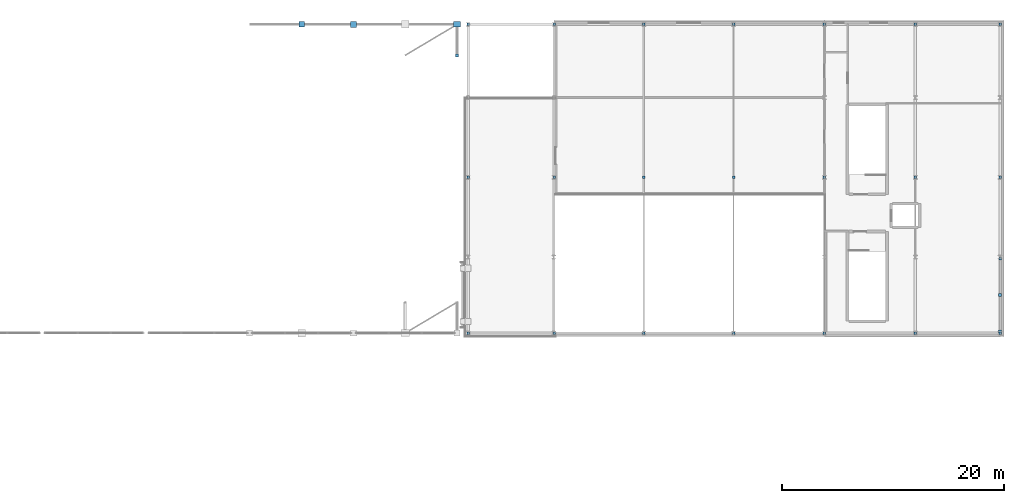
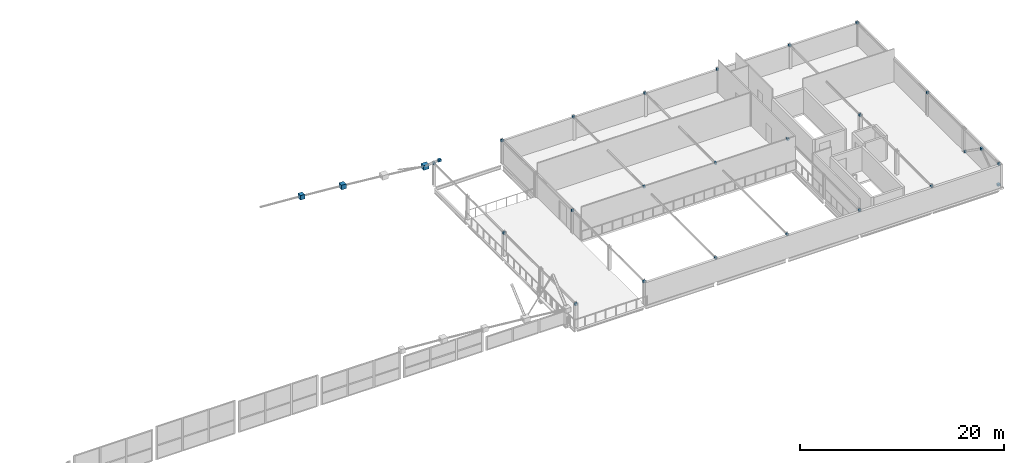
# One storey, part 47 of 60: 28 plates.
"""IFC4 building model written with IfcOpenShell, lengths in metres."""

import ifcopenshell
import ifcopenshell.guid

model = None  # the IFC model being written
_history = None  # IfcOwnerHistory: only IFC2X3 demands one
_inside = {}  # id of a spatial element -> (the spatial element, [elements in it])
_under = {}  # id of a project, library or spatial element -> (it, [spatial elements below it])
_declared = {}  # id of a project -> (the project, [libraries it declares])
_typed = {}  # id of a type object -> (the type object, [elements of that type])
_made_of = {}  # id of a material, layer set ... -> (it, [elements and type objects made of it])


def new_model(schema):
    """Start an empty IFC model of exactly this schema.

    Asked for "IFC4X3", IfcOpenShell would pick the latest addendum, in which some entities
    have other attributes; the version numbers below select the first issue.
    IFC2X3 requires an IfcOwnerHistory on every rooted entity: one is made here for all.
    """
    global model, _history
    if schema == "IFC4X3":
        model = ifcopenshell.file(schema_version=(4, 3, 0, 0))
    else:
        model = ifcopenshell.file(schema=schema)
    _inside.clear()
    _under.clear()
    _declared.clear()
    _typed.clear()
    _made_of.clear()
    _history = None
    if model.schema == "IFC2X3":
        org = make("IfcOrganization", Name="unknown")
        user = make(
            "IfcPersonAndOrganization",
            ThePerson=make("IfcPerson", FamilyName="unknown"),
            TheOrganization=org,
        )
        app = make(
            "IfcApplication",
            ApplicationDeveloper=org,
            Version="unknown",
            ApplicationFullName="unknown",
            ApplicationIdentifier="unknown",
        )
        _history = make(
            "IfcOwnerHistory",
            OwningUser=user,
            OwningApplication=app,
            ChangeAction="ADDED",
            CreationDate=0,
        )
    return model


def make(cls, **values):
    """One entity of the class cls with the attributes given. An attribute that is None is left unset."""
    return model.create_entity(
        cls, **{name: value for name, value in values.items() if value is not None}
    )


def rooted(cls, **values):
    """An entity with a GlobalId (a new one), such as an element, a storey or a relation."""
    return make(cls, GlobalId=ifcopenshell.guid.new(), OwnerHistory=_history, **values)


def si_unit(unit_type, name, prefix=None):
    """IfcSIUnit, for example si_unit("LENGTHUNIT", "METRE", prefix="MILLI")."""
    return make("IfcSIUnit", UnitType=unit_type, Prefix=prefix, Name=name)


def assignment(units):
    """IfcUnitAssignment: the units of a project."""
    return None if units is None else make("IfcUnitAssignment", Units=units)


def point(xyz):
    """IfcCartesianPoint."""
    return None if xyz is None else make("IfcCartesianPoint", Coordinates=xyz)


def direction(xyz):
    """IfcDirection."""
    return None if xyz is None else make("IfcDirection", DirectionRatios=xyz)


def frame(location, z_axis=None, x_axis=None):
    """IfcAxis2Placement3D, a coordinate frame: its origin and axes. An axis left out is left unset."""
    return make(
        "IfcAxis2Placement3D",
        Location=point(location),
        Axis=direction(z_axis),
        RefDirection=direction(x_axis),
    )


def frame_2d(location, x_axis=None):
    """IfcAxis2Placement2D, a coordinate frame in the plane: its origin and x axis."""
    return make(
        "IfcAxis2Placement2D", Location=point(location), RefDirection=direction(x_axis)
    )


def origin():
    """The frame at (0, 0, 0) with its axes left unset."""
    return frame((0.0, 0.0, 0.0))


def origin_2d():
    """The frame at (0, 0) in the plane with its x axis left unset."""
    return frame_2d((0.0, 0.0))


def place(relative_to, where):
    """IfcLocalPlacement: puts the frame where relative to a parent placement (None: the world)."""
    return make(
        "IfcLocalPlacement", PlacementRelTo=relative_to, RelativePlacement=where
    )


def context(
    kind, dimensions, precision=None, world=None, true_north=None, identifier=None
):
    """IfcGeometricRepresentationContext, for example the 3D "Model" context."""
    return make(
        "IfcGeometricRepresentationContext",
        ContextIdentifier=identifier,
        ContextType=kind,
        CoordinateSpaceDimension=dimensions,
        Precision=precision,
        WorldCoordinateSystem=world,
        TrueNorth=true_north,
    )


def subcontext(parent, identifier, kind, view, scale=None):
    """IfcGeometricRepresentationSubContext, for example "Body" below "Model"."""
    return make(
        "IfcGeometricRepresentationSubContext",
        ContextIdentifier=identifier,
        ContextType=kind,
        ParentContext=parent,
        TargetScale=scale,
        TargetView=view,
    )


def project(units=None, contexts=None):
    """IfcProject with its units and contexts."""
    return rooted(
        "IfcProject",
        Name="project",
        RepresentationContexts=contexts,
        UnitsInContext=assignment(units),
    )


def spatial(cls, under=None, at=None, **own):
    """A site, building, storey or space (cls), placed at a placement, below another one or the project."""
    s = rooted(cls, ObjectPlacement=at, **own)
    if under is not None:
        _under.setdefault(under.id(), (under, []))[1].append(s)
    return s


def profile(cls, at=None, kind="AREA", **sizes):
    """A parametric profile (cls). Its sizes go by their IFC names, for example OverallWidth=200.0."""
    return make(cls, ProfileType=kind, Position=at, **sizes)


def rectangle(**sizes):
    """IfcRectangleProfileDef."""
    return profile("IfcRectangleProfileDef", **sizes)


def extrude(swept, where, along, depth):
    """IfcExtrudedAreaSolid: the profile swept, set in the frame where, extruded along a direction by depth."""
    return make(
        "IfcExtrudedAreaSolid",
        SweptArea=swept,
        Position=where,
        ExtrudedDirection=direction(along),
        Depth=depth,
    )


def shape(context_of_items, identifier, shape_type, items):
    """IfcShapeRepresentation: the items that make up one representation, for example the "Body"."""
    return make(
        "IfcShapeRepresentation",
        ContextOfItems=context_of_items,
        RepresentationIdentifier=identifier,
        RepresentationType=shape_type,
        Items=items,
    )


def material(Name=None, Category=None):
    """IfcMaterial."""
    return make("IfcMaterial", Name=Name, Category=Category)


def layer(
    of_material, thickness, ventilated=None, Name=None, Category=None, Priority=None
):
    """IfcMaterialLayer: one layer of a wall or slab, of a material (None: an air gap)."""
    return make(
        "IfcMaterialLayer",
        Material=of_material,
        LayerThickness=thickness,
        IsVentilated=ventilated,
        Name=Name,
        Category=Category,
        Priority=Priority,
    )


def layer_set(layers, Name=None):
    """IfcMaterialLayerSet."""
    return make("IfcMaterialLayerSet", MaterialLayers=layers, LayerSetName=Name)


def made_of(thing, what):
    """Note that an element or type object is made of a material, layer set ...; save() writes the relation."""
    if what is not None:
        _made_of.setdefault(what.id(), (what, []))[1].append(thing)
    return thing


def type_object(cls, material=None, **own):
    """A type object (cls), such as IfcWallType, which elements share."""
    return made_of(rooted(cls, **own), material)


def element(
    cls,
    number,
    at=None,
    inside=None,
    cuts=None,
    type_object=None,
    material=None,
    context=None,
    identifier="Body",
    shape_type=None,
    held_by="IfcProductDefinitionShape",
    body=None,
    shapes=None,
    **own,
):
    """One element of the class cls, such as IfcWall. Its Tag is "e" and its number.

    at: its placement. inside: the storey or other place that contains it. cuts: it is an
    opening in that element (IfcRelVoidsElement). A single representation is given by context,
    identifier, shape_type and body (its items); several are given by shapes. held_by: the class
    of the entity that holds the representations. save() writes the other relations.
    """
    e = rooted(cls, Tag="e%d" % number, ObjectPlacement=at, **own)
    if body is not None:
        shapes = [shape(context, identifier, shape_type, body)]
    if shapes is not None:
        e.Representation = make(held_by, Representations=shapes)
    if inside is not None:
        _inside.setdefault(inside.id(), (inside, []))[1].append(e)
    if cuts is not None:
        rooted(
            "IfcRelVoidsElement", RelatingBuildingElement=cuts, RelatedOpeningElement=e
        )
    if type_object is not None:
        _typed.setdefault(type_object.id(), (type_object, []))[1].append(e)
    return made_of(e, material)


def aggregate(whole, parts):
    """IfcRelAggregates: a whole, such as a stair, and the parts it consists of."""
    return rooted("IfcRelAggregates", RelatingObject=whole, RelatedObjects=parts)


def save(model, path):
    """Write the relations noted so far, then the file.

    IfcRelAggregates (storeys below a building ...), IfcRelContainedInSpatialStructure (elements
    in a storey), IfcRelDefinesByType, IfcRelAssociatesMaterial and IfcRelDeclares: one each for
    every whole, place, type object, material and project.
    """
    for whole, parts in _under.values():
        aggregate(whole, parts)
    for where, things in _inside.values():
        rooted(
            "IfcRelContainedInSpatialStructure",
            RelatedElements=things,
            RelatingStructure=where,
        )
    for kind, things in _typed.values():
        rooted("IfcRelDefinesByType", RelatedObjects=things, RelatingType=kind)
    for what, things in _made_of.values():
        rooted("IfcRelAssociatesMaterial", RelatedObjects=things, RelatingMaterial=what)
    for by, libraries in _declared.values():
        rooted("IfcRelDeclares", RelatingContext=by, RelatedDefinitions=libraries)
    model.write(path)


model = new_model("IFC4")

# Units and contexts
model_context = context("Model", 3, precision=1e-05, world=origin(), true_north=direction((0.0, 1.0)))
body_context = subcontext(model_context, "Body", "Model", "MODEL_VIEW")
ifc_project = project(units=[si_unit("LENGTHUNIT", "METRE"), si_unit("AREAUNIT", "SQUARE_METRE"), si_unit("VOLUMEUNIT", "CUBIC_METRE"), si_unit("PLANEANGLEUNIT", "RADIAN"), si_unit("MASSUNIT", "GRAM", prefix="KILO")], contexts=[model_context])

# Site, building, storey
site_placement = place(None, origin())
site = spatial("IfcSite", under=ifc_project, at=site_placement, CompositionType="ELEMENT")
building_placement = place(site_placement, origin())
building = spatial("IfcBuilding", under=site, at=building_placement, Name="Quillay Park Conservatory", CompositionType="ELEMENT")
storey_placement = place(building_placement, frame((0.0, 0.0, 9.89990234375)))
storey = spatial("IfcBuildingStorey", under=building, at=storey_placement, Name="L02", CompositionType="ELEMENT", Elevation=9.89990234375)

# Plates
ifc_material_1 = material(Name="Steel S355J2H", Category="steel")
ifc_layer_1 = layer(ifc_material_1, 0.035888671875)
ifc_layer_set_1 = layer_set([ifc_layer_1], Name="BOLTED GUSSET NODE PLATE GN02 (Steel S355J2H)")
plate_type_1 = type_object("IfcPlateType", Name="BOLTED GUSSET NODE PLATE GN02", PredefinedType="USERDEFINED", material=ifc_layer_set_1)
plate_1_placement = place(storey_placement, frame((100.816650390625, 113.39990234375, 3.746826171875), z_axis=(0.0, 0.0, 1.0), x_axis=(1.0, 0.0, 0.0)))
element("IfcPlate", 1, at=plate_1_placement, inside=storey, type_object=plate_type_1, Name="Conservatory gridshell star node GN02 (15,10)", ObjectType="GUSSET PLATE", PredefinedType="USERDEFINED", context=body_context, shape_type="SweptSolid", body=[
    extrude(rectangle(XDim=0.5, YDim=0.5, at=origin_2d()), origin(), (0.0, 0.0, 1.0), 0.5400390625),
])
ifc_material_2 = material(Name="Steel S355J2H", Category="steel")
ifc_layer_2 = layer(ifc_material_2, 0.0400390625)
ifc_layer_set_2 = layer_set([ifc_layer_2], Name="BOLTED GUSSET NODE PLATE GN03 (Steel S355J2H)")
plate_type_2 = type_object("IfcPlateType", Name="BOLTED GUSSET NODE PLATE GN03", PredefinedType="USERDEFINED", material=ifc_layer_set_2)
plate_2_placement = place(storey_placement, frame((105.494384765625, 113.39990234375, 3.367919921875), z_axis=(0.0, 0.0, 1.0), x_axis=(1.0, 0.0, 0.0)))
element("IfcPlate", 2, at=plate_2_placement, inside=storey, type_object=plate_type_2, Name="Conservatory gridshell star node GN03 (16,10)", ObjectType="GUSSET PLATE", PredefinedType="USERDEFINED", context=body_context, shape_type="SweptSolid", body=[
    extrude(rectangle(XDim=0.5400390625, YDim=0.5400390625, at=origin_2d()), origin(), (0.0, 0.0, 1.0), 0.5400390625),
])
ifc_material_3 = material(Name="Steel S355J2H", Category="steel")
ifc_layer_3 = layer(ifc_material_3, 0.048095703125)
ifc_layer_set_3 = layer_set([ifc_layer_3], Name="BOLTED GUSSET NODE PLATE GN05 (Steel S355J2H)")
plate_type_3 = type_object("IfcPlateType", Name="BOLTED GUSSET NODE PLATE GN05", PredefinedType="USERDEFINED", material=ifc_layer_set_3)
plate_3_placement = place(storey_placement, frame((114.85009765625, 113.39990234375, 2.434326171875), z_axis=(0.0, 0.0, 1.0), x_axis=(1.0, 0.0, 0.0)))
element("IfcPlate", 3, at=plate_3_placement, inside=storey, type_object=plate_type_3, Name="Conservatory gridshell star node GN05 (18,10)", ObjectType="GUSSET PLATE", PredefinedType="USERDEFINED", context=body_context, shape_type="SweptSolid", body=[
    extrude(rectangle(XDim=0.6201171875, YDim=0.5, at=origin_2d()), origin(), (0.0, 0.0, 1.0), 0.5400390625),
])
ifc_material_4 = material(Name="Steel S355J2H", Category="steel")
ifc_layer_4 = layer(ifc_material_4, 0.02001953125)
ifc_layer_set_4 = layer_set([ifc_layer_4], Name="HOLLOW END CAP PLATE 220 X140 (Steel S355J2H)")
plate_type_4 = type_object("IfcPlateType", Name="HOLLOW END CAP PLATE 220 X140", PredefinedType="USERDEFINED", material=ifc_layer_set_4)
for number, where, z_axis, x_axis, name in (
    (4, (115.85009765625, 85.5390625, 2.578125), (0.0, 0.0, 1.0), (1.0, 0.0, 0.0), "Hollow steel end cap ECP-0202"),
    (5, (115.85009765625, 99.611083984375, 2.578125), (0.0, 0.0, 1.0), (1.0, 0.0, 0.0), "Hollow steel end cap ECP-0203"),
    (6, (115.85009765625, 113.410888671875, 2.578125), (0.0, 0.0, 1.0), (1.0, 0.0, 0.0), "Hollow steel end cap ECP-0204"),
    (7, (123.60009765625, 85.5390625, 2.578125), (0.0, 0.0, 1.0), (1.0, 0.0, 0.0), "Hollow steel end cap ECP-0208"),
    (8, (123.60009765625, 99.611083984375, 2.578125), (0.0, 0.0, 1.0), (1.0, 0.0, 0.0), "Hollow steel end cap ECP-0209"),
    (9, (123.60009765625, 113.410888671875, 2.578125), (0.0, 0.0, 1.0), (1.0, 0.0, 0.0), "Hollow steel end cap ECP-0210"),
    (10, (131.699951171875, 85.5390625, 2.578125), (0.0, 0.0, 1.0), (1.0, 0.0, 0.0), "Hollow steel end cap ECP-0214"),
    (11, (131.699951171875, 99.611083984375, 2.578125), (0.0, 0.0, 1.0), (1.0, 0.0, 0.0), "Hollow steel end cap ECP-0215"),
    (12, (131.699951171875, 113.410888671875, 2.578125), (0.0, 0.0, 1.0), (1.0, 0.0, 0.0), "Hollow steel end cap ECP-0216"),
    (13, (139.800048828125, 85.5390625, 2.578125), (0.0, 0.0, 1.0), (1.0, 0.0, 0.0), "Hollow steel end cap ECP-0220"),
    (14, (139.800048828125, 99.611083984375, 2.578125), (0.0, 0.0, 1.0), (1.0, 0.0, 0.0), "Hollow steel end cap ECP-0221"),
    (15, (139.800048828125, 113.410888671875, 2.578125), (0.0, 0.0, 1.0), (1.0, 0.0, 0.0), "Hollow steel end cap ECP-0222"),
    (16, (148.0, 85.5390625, 2.578125), (0.0, 0.0, 1.0), (1.0, 0.0, 0.0), "Hollow steel end cap ECP-0226"),
    (17, (148.0, 99.611083984375, 2.578125), (0.0, 0.0, 1.0), (1.0, 0.0, 0.0), "Hollow steel end cap ECP-0227"),
    (18, (148.0, 113.410888671875, 2.578125), (0.0, 0.0, 1.0), (1.0, 0.0, 0.0), "Hollow steel end cap ECP-0228"),
    (19, (156.199951171875, 85.5390625, 2.578125), (0.0, 0.0, 1.0), (1.0, 0.0, 0.0), "Hollow steel end cap ECP-0232"),
    (20, (156.199951171875, 99.611083984375, 2.578125), (0.0, 0.0, 1.0), (1.0, 0.0, 0.0), "Hollow steel end cap ECP-0233"),
    (21, (156.199951171875, 113.410888671875, 2.578125), (0.0, 0.0, 1.0), (1.0, 0.0, 0.0), "Hollow steel end cap ECP-0234"),
    (22, (163.85009765625, 85.5390625, 2.578125), (0.0, 0.0, 1.0), (1.0, 0.0, 0.0), "Hollow steel end cap ECP-0238"),
    (23, (163.85009765625, 99.611083984375, 2.578125), (0.0, 0.0, 1.0), (1.0, 0.0, 0.0), "Hollow steel end cap ECP-0239"),
    (24, (163.85009765625, 113.410888671875, 2.578125), (0.0, 0.0, 1.0), (1.0, 0.0, 0.0), "Hollow steel end cap ECP-0240"),
):
    element("IfcPlate", number, at=place(storey_placement, frame(where, z_axis=z_axis, x_axis=x_axis)), inside=storey, type_object=plate_type_4, Name=name, ObjectType="FLANGE PLATE", PredefinedType="USERDEFINED", context=body_context, shape_type="SweptSolid", body=[
        extrude(rectangle(XDim=0.219970703125, YDim=0.219970703125, at=origin_2d()), origin(), (0.0, 0.0, 1.0), 0.243896484375),
    ])
plate_4_placement = place(storey_placement, frame((163.85009765625, 92.259033203125, 0.03271484375), z_axis=(0.0, 0.0, 1.0), x_axis=(1.0, 0.0, 0.0)))
element("IfcPlate", 25, at=plate_4_placement, inside=storey, type_object=plate_type_4, Name="Hollow steel end cap ECP-0264", ObjectType="FLANGE PLATE", PredefinedType="USERDEFINED", context=body_context, shape_type="SweptSolid", body=[
    extrude(rectangle(XDim=0.219970703125, YDim=0.219970703125, at=origin_2d()), origin(), (0.0, 0.0, 1.0), 0.222412109375),
])
ifc_material_5 = material(Name="Steel S355J2H", Category="steel")
ifc_layer_5 = layer(ifc_material_5, 0.02197265625)
ifc_layer_set_5 = layer_set([ifc_layer_5], Name="HOLLOW END CAP PLATE 270 X170 (Steel S355J2H)")
plate_type_5 = type_object("IfcPlateType", Name="HOLLOW END CAP PLATE 270 X170", PredefinedType="USERDEFINED", material=ifc_layer_set_5)
for number, where, z_axis, x_axis, name in (
    (26, (163.85009765625, 85.69091796875, 0.01220703125), (0.0, 0.0, 1.0), (1.0, 0.0, 0.0), "Hollow steel end cap ECP-0262"),
    (27, (163.85009765625, 88.97900390625, 2.32470703125), (0.0, 0.0, 1.0), (1.0, 0.0, 0.0), "Hollow steel end cap ECP-0263"),
):
    element("IfcPlate", number, at=place(storey_placement, frame(where, z_axis=z_axis, x_axis=x_axis)), inside=storey, type_object=plate_type_5, Name=name, ObjectType="FLANGE PLATE", PredefinedType="USERDEFINED", context=body_context, shape_type="SweptSolid", body=[
        extrude(rectangle(XDim=0.27001953125, YDim=0.27001953125, at=origin_2d()), origin(), (0.0, 0.0, 1.0), 0.26318359375),
    ])
ifc_material_6 = material(Name="Steel S355J2H", Category="steel")
ifc_layer_6 = layer(ifc_material_6, 0.02392578125)
ifc_layer_set_6 = layer_set([ifc_layer_6], Name="HOLLOW END CAP PLATE 290 (Steel S355J2H)")
plate_type_6 = type_object("IfcPlateType", Name="HOLLOW END CAP PLATE 290", PredefinedType="USERDEFINED", material=ifc_layer_set_6)
plate_5_placement = place(storey_placement, frame((114.85009765625, 110.606689453125, 4.97998046875), z_axis=(0.0, 0.0, 1.0), x_axis=(1.0, 0.0, 0.0)))
element("IfcPlate", 28, at=plate_5_placement, inside=storey, type_object=plate_type_6, Name="Hollow steel end cap ECP-0161", ObjectType="FLANGE PLATE", PredefinedType="USERDEFINED", context=body_context, shape_type="SweptSolid", body=[
    extrude(rectangle(XDim=0.294921875, YDim=0.294921875, at=origin_2d()), origin(), (0.0, 0.0, 1.0), 0.268310546875),
])

save(model, "model.ifc")
